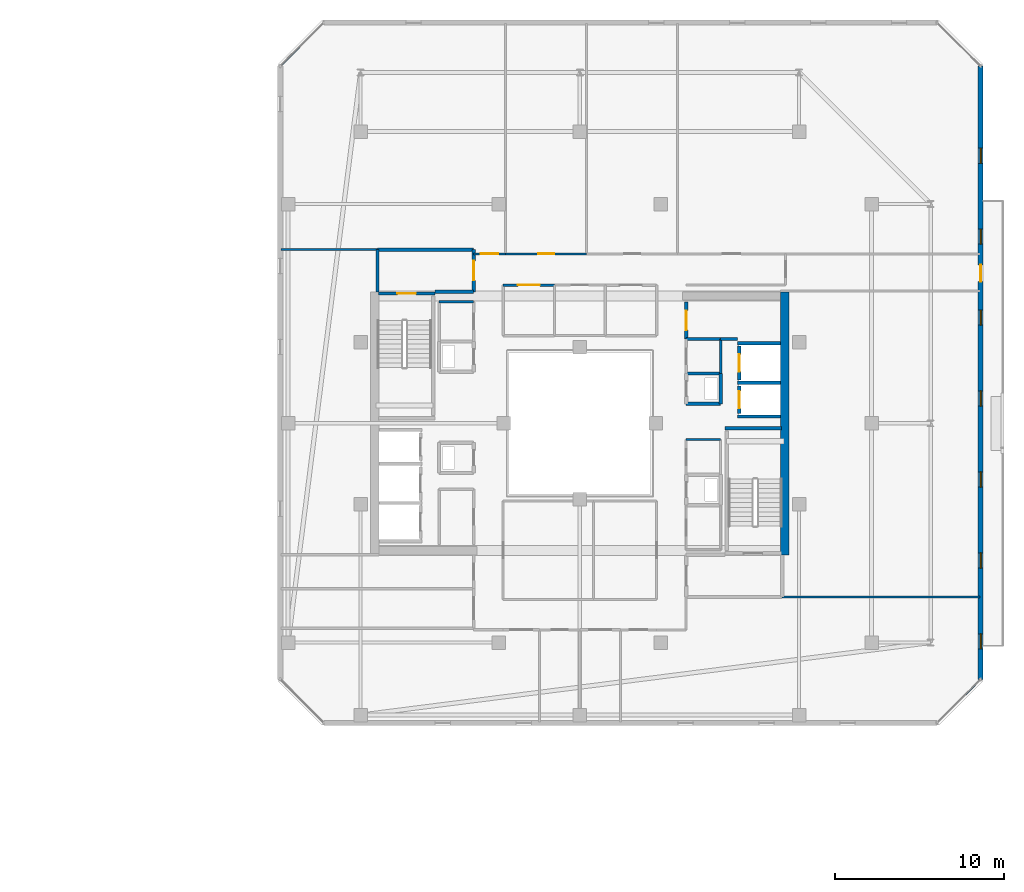
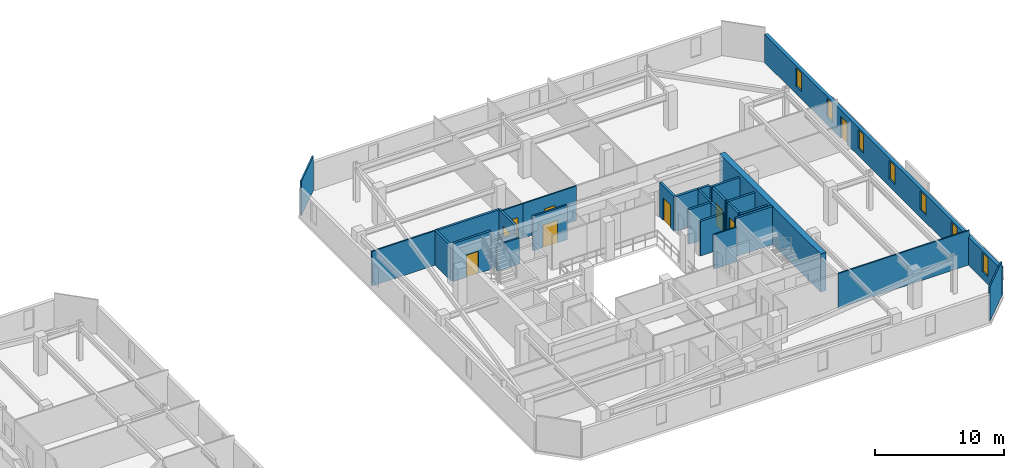
# One storey, part 27 of 35: 29 walls, 9 doors, 7 windows, 16 openings.
"""IFC4 building model written with IfcOpenShell, lengths in metres."""

from ifc_helpers import new_model, si_unit, direction, frame, frame_2d, origin, place, context, subcontext, project, spatial, rectangle, extrude, material, layer, layer_set, type_object, element, fill, save


model = new_model("IFC4")

# Units and contexts
model_context = context("Model", 3, precision=1e-05, world=origin(), true_north=direction((0.0, 1.0)))
body_context = subcontext(model_context, "Body", "Model", "MODEL_VIEW")
ifc_project = project(units=[si_unit("LENGTHUNIT", "METRE"), si_unit("AREAUNIT", "SQUARE_METRE"), si_unit("VOLUMEUNIT", "CUBIC_METRE"), si_unit("PLANEANGLEUNIT", "RADIAN"), si_unit("MASSUNIT", "GRAM", prefix="KILO")], contexts=[model_context])

# Site, building, storey
site_placement = place(None, origin())
site = spatial("IfcSite", under=ifc_project, at=site_placement, CompositionType="ELEMENT")
building_placement = place(site_placement, origin())
building = spatial("IfcBuilding", under=site, at=building_placement, Name="Thornwick Lancets Civic Towers", CompositionType="ELEMENT")
storey_placement = place(building_placement, frame((0.0, 0.0, 276.300048828125)))
storey = spatial("IfcBuildingStorey", under=building, at=storey_placement, Name="L74", CompositionType="ELEMENT", Elevation=276.300048828125)

# Wall, opening, door
ifc_material_1 = material(Name="Concrete blockwork C40/50", Category="masonry")
ifc_layer_1 = layer(ifc_material_1, 0.199951171875, Name="Concrete blockwork C40/50")
ifc_layer_set_1 = layer_set([ifc_layer_1], Name="Concrete blockwork C40/50")
wall_type_1 = type_object("IfcWallType", Name="WALL_COMP_200", PredefinedType="STANDARD", material=ifc_layer_set_1)
wall_1_placement = place(storey_placement, frame((97.949951171875, 29.219970703125, 0.0), z_axis=(0.0, 0.0, 1.0), x_axis=(0.0, -1.0, 0.0)))
wall_1 = element("IfcWall", 1, at=wall_1_placement, inside=storey, type_object=wall_type_1, Name="L74 Hoistway Front Wall FL-B1", PredefinedType="STANDARD", context=body_context, shape_type="SweptSolid", body=[
    extrude(rectangle(XDim=1.639892578125, YDim=0.199951171875, at=frame_2d((0.81982421875, 0.0))), origin(), (0.0, 0.0, 1.0), 3.260009765625),
])
opening_1_placement = place(wall_1_placement, frame((0.31005859375, 0.0, 0.0)))
opening_1 = element("IfcOpeningElement", 2, at=opening_1_placement, cuts=wall_1, Name="Opening LD-FL-B1", PredefinedType="OPENING", context=body_context, shape_type="SweptSolid", body=[
    extrude(rectangle(XDim=1.02001953125, YDim=2.06005859375, at=frame_2d((0.510009765625, 1.030029296875))), frame((0.0, 0.10986328125, 0.0), z_axis=(0.0, -1.0, 0.0), x_axis=(1.0, 0.0, 0.0)), (0.0, 0.0, 1.0), 0.219970703125),
])
ifc_material_2 = material(Name="Brushed bronze stainless steel", Category="steel")
door_type_1 = type_object("IfcDoorType", Name="DOOR_LIFT_SLIDE", OperationType="SLIDING_TO_LEFT", PredefinedType="DOOR", material=ifc_material_2)
door_1_placement = place(opening_1_placement, origin())
door_1 = element("IfcDoor", 3, at=door_1_placement, inside=storey, type_object=door_type_1, Name="L74 Sliding Lift Landing Door LD-FL-B1", OperationType="SLIDING_TO_LEFT", OverallHeight=2.06005859375, OverallWidth=1.02001953125, PredefinedType="DOOR", context=body_context, shape_type="SweptSolid", body=[
    extrude(rectangle(XDim=1.02001953125, YDim=2.06005859375, at=frame_2d((0.510009765625, 1.030029296875))), frame((0.0, 0.02490234375, 0.0), z_axis=(0.0, -1.0, 0.0), x_axis=(1.0, 0.0, 0.0)), (0.0, 0.0, 1.0), 0.050048828125),
])
fill(opening_1, door_1)

wall_2_placement = place(storey_placement, frame((97.949951171875, 31.570068359375, 0.0), z_axis=(0.0, 0.0, 1.0), x_axis=(0.0, -1.0, 0.0)))
wall_2 = element("IfcWall", 4, at=wall_2_placement, inside=storey, type_object=wall_type_1, Name="L74 Hoistway Front Wall PL-BH1", PredefinedType="STANDARD", context=body_context, shape_type="SweptSolid", body=[
    extrude(rectangle(XDim=1.989990234375, YDim=0.199951171875, at=frame_2d((0.9951171875, 0.0))), origin(), (0.0, 0.0, 1.0), 3.260009765625),
])
opening_2_placement = place(wall_2_placement, frame((0.485107421875, 0.0, 0.0)))
opening_2 = element("IfcOpeningElement", 5, at=opening_2_placement, cuts=wall_2, Name="Opening LD-PL-BH1", PredefinedType="OPENING", context=body_context, shape_type="SweptSolid", body=[
    extrude(rectangle(XDim=1.02001953125, YDim=2.06005859375, at=frame_2d((0.510009765625, 1.030029296875))), frame((0.0, 0.10986328125, 0.0), z_axis=(0.0, -1.0, 0.0), x_axis=(1.0, 0.0, 0.0)), (0.0, 0.0, 1.0), 0.219970703125),
])
door_2_placement = place(opening_2_placement, origin())
door_2 = element("IfcDoor", 6, at=door_2_placement, inside=storey, type_object=door_type_1, Name="L74 Sliding Lift Landing Door LD-PL-BH1", OperationType="SLIDING_TO_LEFT", OverallHeight=2.06005859375, OverallWidth=1.02001953125, PredefinedType="DOOR", context=body_context, shape_type="SweptSolid", body=[
    extrude(rectangle(XDim=1.02001953125, YDim=2.06005859375, at=frame_2d((0.510009765625, 1.030029296875))), frame((0.0, 0.02490234375, 0.0), z_axis=(0.0, -1.0, 0.0), x_axis=(1.0, 0.0, 0.0)), (0.0, 0.0, 1.0), 0.050048828125),
])
fill(opening_2, door_2)

# Walls
for number, where, z_axis, x_axis, name in (
    (7, (97.85205078125, 29.39990234375, 0.0), (0.0, 0.0, 1.0), (1.0, 0.0, 0.0), "L74 Hoistway Shaft Wall FL-B1 N"),
    (8, (97.85205078125, 27.39990234375, 0.0), (0.0, 0.0, 1.0), (1.0, 0.0, 0.0), "L74 Hoistway Shaft Wall FL-B1 S"),
    (9, (97.85205078125, 31.75, 0.0), (0.0, 0.0, 1.0), (1.0, 0.0, 0.0), "L74 Hoistway Shaft Wall PL-BH1 N"),
):
    element("IfcWall", number, at=place(storey_placement, frame(where, z_axis=z_axis, x_axis=x_axis)), inside=storey, type_object=wall_type_1, Name=name, PredefinedType="STANDARD", context=body_context, shape_type="SweptSolid", body=[
        extrude(rectangle(XDim=2.535888671875, YDim=0.199951171875, at=frame_2d((1.26806640625, 0.0))), origin(), (0.0, 0.0, 1.0), 3.260009765625),
    ])
wall_3_placement = place(storey_placement, frame((79.89990234375, 34.800048828125, 0.0), z_axis=(0.0, 0.0, 1.0), x_axis=(1.0, 0.0, 0.0)))
element("IfcWall", 10, at=wall_3_placement, inside=storey, type_object=wall_type_1, Name="L74 Partition L74-B-FFLOB2 E1", PredefinedType="STANDARD", context=body_context, shape_type="SweptSolid", body=[
    extrude(rectangle(XDim=2.300048828125, YDim=0.199951171875, at=frame_2d((1.14990234375, 0.0))), origin(), (0.0, 0.0, 1.0), 2.46484375),
])

# Wall, opening, door
wall_4_placement = place(storey_placement, frame((82.199951171875, 34.800048828125, 0.0), z_axis=(0.0, 0.0, 1.0), x_axis=(0.0, 1.0, 0.0)))
wall_4 = element("IfcWall", 11, at=wall_4_placement, inside=storey, type_object=wall_type_1, Name="L74 Partition L74-B-FFLOB2 E2", PredefinedType="STANDARD", context=body_context, shape_type="SweptSolid", body=[
    extrude(rectangle(XDim=2.5, YDim=0.199951171875, at=frame_2d((1.25, 0.0))), origin(), (0.0, 0.0, 1.0), 3.260009765625),
])
opening_3_placement = place(wall_4_placement, frame((0.675048828125, 0.0, 0.0)))
opening_3 = element("IfcOpeningElement", 12, at=opening_3_placement, cuts=wall_4, Name="Opening D-L74-3398", PredefinedType="OPENING", context=body_context, shape_type="SweptSolid", body=[
    extrude(rectangle(XDim=1.14990234375, YDim=2.10009765625, at=frame_2d((0.574951171875, 1.050048828125))), frame((0.0, 0.10986328125, 0.0), z_axis=(0.0, -1.0, 0.0), x_axis=(1.0, 0.0, 0.0)), (0.0, 0.0, 1.0), 0.219970703125),
])
ifc_material_3 = material(Name="Glazed fire-resisting steel", Category="steel")
door_type_2 = type_object("IfcDoorType", Name="DOOR_LOBBY_FD60", OperationType="NOTDEFINED", PredefinedType="DOOR", material=ifc_material_3)
door_3_placement = place(opening_3_placement, origin())
door_3 = element("IfcDoor", 13, at=door_3_placement, inside=storey, type_object=door_type_2, Name="L74 West Firefighting Lobby 2 Door", OperationType="SINGLE_SWING_LEFT", OverallHeight=2.10009765625, OverallWidth=1.14990234375, PredefinedType="DOOR", context=body_context, shape_type="SweptSolid", body=[
    extrude(rectangle(XDim=1.14990234375, YDim=2.10009765625, at=frame_2d((0.574951171875, 1.050048828125))), frame((0.0, 0.02490234375, 0.0), z_axis=(0.0, -1.0, 0.0), x_axis=(1.0, 0.0, 0.0)), (0.0, 0.0, 1.0), 0.050048828125),
])
fill(opening_3, door_3)

# Walls
wall_5_placement = place(storey_placement, frame((82.199951171875, 37.300048828125, 0.0), z_axis=(0.0, 0.0, 1.0), x_axis=(-1.0, 0.0, 0.0)))
element("IfcWall", 14, at=wall_5_placement, inside=storey, type_object=wall_type_1, Name="L74 Partition L74-B-FFLOB2 E3", PredefinedType="STANDARD", context=body_context, shape_type="SweptSolid", body=[
    extrude(rectangle(XDim=5.699951171875, YDim=0.199951171875, at=frame_2d((2.85009765625, 0.0))), origin(), (0.0, 0.0, 1.0), 3.260009765625),
])
wall_6_placement = place(storey_placement, frame((76.5, 37.300048828125, 0.0), z_axis=(0.0, 0.0, 1.0), x_axis=(0.0, -1.0, 0.0)))
element("IfcWall", 15, at=wall_6_placement, inside=storey, type_object=wall_type_1, Name="L74 Partition L74-B-FFLOB2 E4", PredefinedType="STANDARD", context=body_context, shape_type="SweptSolid", body=[
    extrude(rectangle(XDim=2.5, YDim=0.199951171875, at=frame_2d((1.25, 0.0))), origin(), (0.0, 0.0, 1.0), 3.260009765625),
])
wall_7_placement = place(storey_placement, frame((94.800048828125, 28.14990234375, 0.0), z_axis=(0.0, 0.0, 1.0), x_axis=(1.0, 0.0, 0.0)))
element("IfcWall", 16, at=wall_7_placement, inside=storey, type_object=wall_type_1, Name="L74 Partition L74-B-DUCT1 E1", PredefinedType="STANDARD", context=body_context, shape_type="SweptSolid", body=[
    extrude(rectangle(XDim=2.050048828125, YDim=0.199951171875, at=frame_2d((1.02490234375, 0.0))), origin(), (0.0, 0.0, 1.0), 3.260009765625),
])
wall_8_placement = place(storey_placement, frame((96.85009765625, 28.14990234375, 0.0), z_axis=(0.0, 0.0, 1.0), x_axis=(0.0, 1.0, 0.0)))
element("IfcWall", 17, at=wall_8_placement, inside=storey, type_object=wall_type_1, Name="L74 Partition L74-B-DUCT1 E2", PredefinedType="STANDARD", context=body_context, shape_type="SweptSolid", body=[
    extrude(rectangle(XDim=1.800048828125, YDim=0.199951171875, at=frame_2d((0.89990234375, 0.0))), origin(), (0.0, 0.0, 1.0), 3.260009765625),
])
wall_9_placement = place(storey_placement, frame((96.85009765625, 29.949951171875, 0.0), z_axis=(0.0, 0.0, 1.0), x_axis=(-1.0, 0.0, 0.0)))
element("IfcWall", 18, at=wall_9_placement, inside=storey, type_object=wall_type_1, Name="L74 Partition L74-B-DUCT1 E3", PredefinedType="STANDARD", context=body_context, shape_type="SweptSolid", body=[
    extrude(rectangle(XDim=2.050048828125, YDim=0.199951171875, at=frame_2d((1.02490234375, 0.0))), origin(), (0.0, 0.0, 1.0), 3.260009765625),
])

# Wall, opening, door
wall_10_placement = place(storey_placement, frame((94.800048828125, 32.0, 0.0), z_axis=(0.0, 0.0, 1.0), x_axis=(0.0, 1.0, 0.0)))
wall_10 = element("IfcWall", 19, at=wall_10_placement, inside=storey, type_object=wall_type_1, Name="L74 Partition L74-B-STR2 E1", PredefinedType="STANDARD", context=body_context, shape_type="SweptSolid", body=[
    extrude(rectangle(XDim=2.199951171875, YDim=0.199951171875, at=frame_2d((1.10009765625, 0.0))), origin(), (0.0, 0.0, 1.0), 3.260009765625),
])
opening_4_placement = place(wall_10_placement, frame((0.52490234375, 0.0, 0.0)))
opening_4 = element("IfcOpeningElement", 20, at=opening_4_placement, cuts=wall_10, Name="Opening D-L74-3406", PredefinedType="OPENING", context=body_context, shape_type="SweptSolid", body=[
    extrude(rectangle(XDim=1.14990234375, YDim=2.10009765625, at=frame_2d((0.574951171875, 1.050048828125))), frame((0.0, 0.10986328125, 0.0), z_axis=(0.0, -1.0, 0.0), x_axis=(1.0, 0.0, 0.0)), (0.0, 0.0, 1.0), 0.219970703125),
])
door_4_placement = place(opening_4_placement, origin())
door_4 = element("IfcDoor", 21, at=door_4_placement, inside=storey, type_object=door_type_2, Name="L74 Tower B Core Supplies Store Door", OperationType="SINGLE_SWING_LEFT", OverallHeight=2.10009765625, OverallWidth=1.14990234375, PredefinedType="DOOR", context=body_context, shape_type="SweptSolid", body=[
    extrude(rectangle(XDim=1.14990234375, YDim=2.10009765625, at=frame_2d((0.574951171875, 1.050048828125))), frame((0.0, 0.02490234375, 0.0), z_axis=(0.0, -1.0, 0.0), x_axis=(1.0, 0.0, 0.0)), (0.0, 0.0, 1.0), 0.050048828125),
])
fill(opening_4, door_4)

# Walls
wall_11_placement = place(storey_placement, frame((97.85205078125, 32.0, 0.0), z_axis=(0.0, 0.0, 1.0), x_axis=(-1.0, 0.0, 0.0)))
element("IfcWall", 22, at=wall_11_placement, inside=storey, type_object=wall_type_1, Name="L74 Partition L74-B-STR2 E4", PredefinedType="STANDARD", context=body_context, shape_type="SweptSolid", body=[
    extrude(rectangle(XDim=1.001953125, YDim=0.199951171875, at=frame_2d((0.5009765625, 0.0))), origin(), (0.0, 0.0, 1.0), 3.260009765625),
])
wall_12_placement = place(storey_placement, frame((96.85009765625, 32.0, 0.0), z_axis=(0.0, 0.0, 1.0), x_axis=(-1.0, 0.0, 0.0)))
element("IfcWall", 23, at=wall_12_placement, inside=storey, type_object=wall_type_1, Name="L74 Partition L74-B-STR2 E5", PredefinedType="STANDARD", context=body_context, shape_type="SweptSolid", body=[
    extrude(rectangle(XDim=2.050048828125, YDim=0.199951171875, at=frame_2d((1.02490234375, 0.0))), origin(), (0.0, 0.0, 1.0), 3.260009765625),
])
ifc_material_4 = material(Name="Concrete C50/60", Category="concrete")
ifc_layer_2 = layer(ifc_material_4, 0.5, Name="Concrete C50/60")
ifc_layer_set_2 = layer_set([ifc_layer_2], Name="Concrete C50/60")
wall_type_2 = type_object("IfcWallType", Name="WALL_CORE_500", PredefinedType="SHEAR", material=ifc_layer_set_2)
wall_13_placement = place(storey_placement, frame((100.64990234375, 19.199951171875, 0.0), z_axis=(0.0, 0.0, 1.0), x_axis=(0.0, 1.0, 0.0)))
element("IfcWall", 24, at=wall_13_placement, inside=storey, type_object=wall_type_2, Name="L74 Split Core B1 Shear Wall E", PredefinedType="SHEAR", context=body_context, shape_type="SweptSolid", body=[
    extrude(rectangle(XDim=15.60009765625, YDim=0.5, at=frame_2d((7.800048828125, 0.0))), origin(), (0.0, 0.0, 1.0), 3.599853515625),
])

# Wall, openings, door, windows
ifc_material_5 = material(Name="Insulated russet terracotta rainscreen on concrete C40/50", Category="masonry")
ifc_layer_3 = layer(ifc_material_5, 0.300048828125, Name="Insulated russet terracotta rainscreen on concrete C40/50")
ifc_layer_set_3 = layer_set([ifc_layer_3], Name="Insulated russet terracotta rainscreen on concrete C40/50")
wall_type_3 = type_object("IfcWallType", Name="WALL_EXT_RUSSET_300", PredefinedType="STANDARD", material=ifc_layer_set_3)
wall_14_placement = place(storey_placement, frame((112.2646484375, 11.818603515625, 0.0), z_axis=(0.0, 0.0, 1.0), x_axis=(0.0, 1.0, 0.0)))
wall_14 = element("IfcWall", 25, at=wall_14_placement, inside=storey, type_object=wall_type_3, Name="L74 Tower B Terracotta Facade Wall E2", PredefinedType="STANDARD", context=body_context, shape_type="SweptSolid", body=[
    extrude(rectangle(XDim=36.36279296875, YDim=0.300048828125, at=frame_2d((18.181396484375, 0.0))), origin(), (0.0, 0.0, 1.0), 2.659912109375),
])
opening_5_placement = place(wall_14_placement, frame((23.581298828125, 0.0, 0.0)))
opening_5 = element("IfcOpeningElement", 26, at=opening_5_placement, cuts=wall_14, Name="Opening D-BL-L74-BE", PredefinedType="OPENING", context=body_context, shape_type="SweptSolid", body=[
    extrude(rectangle(XDim=1.0, YDim=2.080078125, at=frame_2d((0.5, 1.0400390625))), frame((0.0, 0.16015625, 0.0), z_axis=(0.0, -1.0, 0.0), x_axis=(1.0, 0.0, 0.0)), (0.0, 0.0, 1.0), 0.320068359375),
])
opening_6_placement = place(wall_14_placement, frame((1.800048828125, 0.0, 0.719970703125)))
opening_6 = element("IfcOpeningElement", 27, at=opening_6_placement, cuts=wall_14, Name="Opening WL-01", PredefinedType="OPENING", context=body_context, shape_type="SweptSolid", body=[
    extrude(rectangle(XDim=0.89990234375, YDim=1.75, at=frame_2d((0.449951171875, 0.875))), frame((0.0, 0.16015625, 0.0), z_axis=(0.0, -1.0, 0.0), x_axis=(1.0, 0.0, 0.0)), (0.0, 0.0, 1.0), 0.320068359375),
])
opening_7_placement = place(wall_14_placement, frame((6.60009765625, 0.0, 0.719970703125)))
opening_7 = element("IfcOpeningElement", 28, at=opening_7_placement, cuts=wall_14, Name="Opening WL-01", PredefinedType="OPENING", context=body_context, shape_type="SweptSolid", body=[
    extrude(rectangle(XDim=0.89990234375, YDim=1.75, at=frame_2d((0.449951171875, 0.875))), frame((0.0, 0.16015625, 0.0), z_axis=(0.0, -1.0, 0.0), x_axis=(1.0, 0.0, 0.0)), (0.0, 0.0, 1.0), 0.320068359375),
])
opening_8_placement = place(wall_14_placement, frame((11.39990234375, 0.0, 0.719970703125)))
opening_8 = element("IfcOpeningElement", 29, at=opening_8_placement, cuts=wall_14, Name="Opening WL-01", PredefinedType="OPENING", context=body_context, shape_type="SweptSolid", body=[
    extrude(rectangle(XDim=0.89990234375, YDim=1.75, at=frame_2d((0.449951171875, 0.875))), frame((0.0, 0.16015625, 0.0), z_axis=(0.0, -1.0, 0.0), x_axis=(1.0, 0.0, 0.0)), (0.0, 0.0, 1.0), 0.320068359375),
])
opening_9_placement = place(wall_14_placement, frame((16.199951171875, 0.0, 0.719970703125)))
opening_9 = element("IfcOpeningElement", 30, at=opening_9_placement, cuts=wall_14, Name="Opening WL-01", PredefinedType="OPENING", context=body_context, shape_type="SweptSolid", body=[
    extrude(rectangle(XDim=0.89990234375, YDim=1.75, at=frame_2d((0.449951171875, 0.875))), frame((0.0, 0.16015625, 0.0), z_axis=(0.0, -1.0, 0.0), x_axis=(1.0, 0.0, 0.0)), (0.0, 0.0, 1.0), 0.320068359375),
])
opening_10_placement = place(wall_14_placement, frame((21.0, 0.0, 0.719970703125)))
opening_10 = element("IfcOpeningElement", 31, at=opening_10_placement, cuts=wall_14, Name="Opening WL-01", PredefinedType="OPENING", context=body_context, shape_type="SweptSolid", body=[
    extrude(rectangle(XDim=0.89990234375, YDim=1.75, at=frame_2d((0.449951171875, 0.875))), frame((0.0, 0.16015625, 0.0), z_axis=(0.0, -1.0, 0.0), x_axis=(1.0, 0.0, 0.0)), (0.0, 0.0, 1.0), 0.320068359375),
])
opening_11_placement = place(wall_14_placement, frame((25.800048828125, 0.0, 0.719970703125)))
opening_11 = element("IfcOpeningElement", 32, at=opening_11_placement, cuts=wall_14, Name="Opening WL-01", PredefinedType="OPENING", context=body_context, shape_type="SweptSolid", body=[
    extrude(rectangle(XDim=0.89990234375, YDim=1.75, at=frame_2d((0.449951171875, 0.875))), frame((0.0, 0.16015625, 0.0), z_axis=(0.0, -1.0, 0.0), x_axis=(1.0, 0.0, 0.0)), (0.0, 0.0, 1.0), 0.320068359375),
])
opening_12_placement = place(wall_14_placement, frame((30.60009765625, 0.0, 0.719970703125)))
opening_12 = element("IfcOpeningElement", 33, at=opening_12_placement, cuts=wall_14, Name="Opening WL-01", PredefinedType="OPENING", context=body_context, shape_type="SweptSolid", body=[
    extrude(rectangle(XDim=0.89990234375, YDim=1.75, at=frame_2d((0.449951171875, 0.875))), frame((0.0, 0.16015625, 0.0), z_axis=(0.0, -1.0, 0.0), x_axis=(1.0, 0.0, 0.0)), (0.0, 0.0, 1.0), 0.320068359375),
])
ifc_material_6 = material(Name="Thermally broken glazed loggia doorset")
door_type_3 = type_object("IfcDoorType", Name="DOOR_BALC_1000", OperationType="NOTDEFINED", PredefinedType="DOOR", material=ifc_material_6)
door_5_placement = place(opening_5_placement, origin())
door_5 = element("IfcDoor", 34, at=door_5_placement, inside=storey, type_object=door_type_3, Name="L74 Tower B Loggia Balcony Door E", OperationType="SINGLE_SWING_LEFT", OverallHeight=2.080078125, OverallWidth=1.0, PredefinedType="DOOR", context=body_context, shape_type="SweptSolid", body=[
    extrude(rectangle(XDim=1.0, YDim=2.080078125, at=frame_2d((0.5, 1.0400390625))), frame((0.0, 0.02490234375, 0.0), z_axis=(0.0, -1.0, 0.0), x_axis=(1.0, 0.0, 0.0)), (0.0, 0.0, 1.0), 0.050048828125),
])
fill(opening_5, door_5)
ifc_material_7 = material(Name="Clear low-e double glazing in bronze frame", Category="glass")
window_type = type_object("IfcWindowType", Name="WIN_LANCET_900", PartitioningType="SINGLE_PANEL", PredefinedType="WINDOW", material=ifc_material_7)
window_1_placement = place(opening_6_placement, origin())
window_1 = element("IfcWindow", 35, at=window_1_placement, inside=storey, type_object=window_type, Name="L74 Tower B Staggered Lancet Window E2-1", OverallHeight=1.75, OverallWidth=0.89990234375, PartitioningType="SINGLE_PANEL", PredefinedType="WINDOW", context=body_context, shape_type="SweptSolid", body=[
    extrude(rectangle(XDim=0.89990234375, YDim=1.75, at=frame_2d((0.449951171875, 0.875))), frame((0.0, 0.030029296875, 0.0), z_axis=(0.0, -1.0, 0.0), x_axis=(1.0, 0.0, 0.0)), (0.0, 0.0, 1.0), 0.06005859375),
])
fill(opening_6, window_1)
window_2_placement = place(opening_7_placement, origin())
window_2 = element("IfcWindow", 36, at=window_2_placement, inside=storey, type_object=window_type, Name="L74 Tower B Staggered Lancet Window E2-2", OverallHeight=1.75, OverallWidth=0.89990234375, PartitioningType="SINGLE_PANEL", PredefinedType="WINDOW", context=body_context, shape_type="SweptSolid", body=[
    extrude(rectangle(XDim=0.89990234375, YDim=1.75, at=frame_2d((0.449951171875, 0.875))), frame((0.0, 0.030029296875, 0.0), z_axis=(0.0, -1.0, 0.0), x_axis=(1.0, 0.0, 0.0)), (0.0, 0.0, 1.0), 0.06005859375),
])
fill(opening_7, window_2)
window_3_placement = place(opening_8_placement, origin())
window_3 = element("IfcWindow", 37, at=window_3_placement, inside=storey, type_object=window_type, Name="L74 Tower B Staggered Lancet Window E2-3", OverallHeight=1.75, OverallWidth=0.89990234375, PartitioningType="SINGLE_PANEL", PredefinedType="WINDOW", context=body_context, shape_type="SweptSolid", body=[
    extrude(rectangle(XDim=0.89990234375, YDim=1.75, at=frame_2d((0.449951171875, 0.875))), frame((0.0, 0.030029296875, 0.0), z_axis=(0.0, -1.0, 0.0), x_axis=(1.0, 0.0, 0.0)), (0.0, 0.0, 1.0), 0.06005859375),
])
fill(opening_8, window_3)
window_4_placement = place(opening_9_placement, origin())
window_4 = element("IfcWindow", 38, at=window_4_placement, inside=storey, type_object=window_type, Name="L74 Tower B Staggered Lancet Window E2-4", OverallHeight=1.75, OverallWidth=0.89990234375, PartitioningType="SINGLE_PANEL", PredefinedType="WINDOW", context=body_context, shape_type="SweptSolid", body=[
    extrude(rectangle(XDim=0.89990234375, YDim=1.75, at=frame_2d((0.449951171875, 0.875))), frame((0.0, 0.030029296875, 0.0), z_axis=(0.0, -1.0, 0.0), x_axis=(1.0, 0.0, 0.0)), (0.0, 0.0, 1.0), 0.06005859375),
])
fill(opening_9, window_4)
window_5_placement = place(opening_10_placement, origin())
window_5 = element("IfcWindow", 39, at=window_5_placement, inside=storey, type_object=window_type, Name="L74 Tower B Staggered Lancet Window E2-5", OverallHeight=1.75, OverallWidth=0.89990234375, PartitioningType="SINGLE_PANEL", PredefinedType="WINDOW", context=body_context, shape_type="SweptSolid", body=[
    extrude(rectangle(XDim=0.89990234375, YDim=1.75, at=frame_2d((0.449951171875, 0.875))), frame((0.0, 0.030029296875, 0.0), z_axis=(0.0, -1.0, 0.0), x_axis=(1.0, 0.0, 0.0)), (0.0, 0.0, 1.0), 0.06005859375),
])
fill(opening_10, window_5)
window_6_placement = place(opening_11_placement, origin())
window_6 = element("IfcWindow", 40, at=window_6_placement, inside=storey, type_object=window_type, Name="L74 Tower B Staggered Lancet Window E2-6", OverallHeight=1.75, OverallWidth=0.89990234375, PartitioningType="SINGLE_PANEL", PredefinedType="WINDOW", context=body_context, shape_type="SweptSolid", body=[
    extrude(rectangle(XDim=0.89990234375, YDim=1.75, at=frame_2d((0.449951171875, 0.875))), frame((0.0, 0.030029296875, 0.0), z_axis=(0.0, -1.0, 0.0), x_axis=(1.0, 0.0, 0.0)), (0.0, 0.0, 1.0), 0.06005859375),
])
fill(opening_11, window_6)
window_7_placement = place(opening_12_placement, origin())
window_7 = element("IfcWindow", 41, at=window_7_placement, inside=storey, type_object=window_type, Name="L74 Tower B Staggered Lancet Window E2-7", OverallHeight=1.75, OverallWidth=0.89990234375, PartitioningType="SINGLE_PANEL", PredefinedType="WINDOW", context=body_context, shape_type="SweptSolid", body=[
    extrude(rectangle(XDim=0.89990234375, YDim=1.75, at=frame_2d((0.449951171875, 0.875))), frame((0.0, 0.030029296875, 0.0), z_axis=(0.0, -1.0, 0.0), x_axis=(1.0, 0.0, 0.0)), (0.0, 0.0, 1.0), 0.06005859375),
])
fill(opening_12, window_7)

# Walls
ifc_material_8 = material(Name="Acoustic gypsum board partition")
ifc_layer_4 = layer(ifc_material_8, 0.1201171875, Name="Acoustic gypsum board partition")
ifc_layer_set_4 = layer_set([ifc_layer_4], Name="Acoustic gypsum board partition")
wall_type_4 = type_object("IfcWallType", Name="WALL_PART_120", PredefinedType="PARTITIONING", material=ifc_layer_set_4)
wall_15_placement = place(storey_placement, frame((94.800048828125, 26.050048828125, 0.0), z_axis=(0.0, 0.0, 1.0), x_axis=(1.0, 0.0, 0.0)))
element("IfcWall", 42, at=wall_15_placement, inside=storey, type_object=wall_type_4, Name="L74 Partition L74-B-ITR E2", PredefinedType="PARTITIONING", context=body_context, shape_type="SweptSolid", body=[
    extrude(rectangle(XDim=2.050048828125, YDim=0.1201171875, at=frame_2d((1.02490234375, 0.0))), origin(), (0.0, 0.0, 1.0), 3.260009765625),
])
wall_16_placement = place(storey_placement, frame((100.5, 16.699951171875, 0.0), z_axis=(0.0, 0.0, 1.0), x_axis=(1.0, 0.0, 0.0)))
element("IfcWall", 43, at=wall_16_placement, inside=storey, type_object=wall_type_4, Name="L74 Partition L74-B-W1 E7", PredefinedType="PARTITIONING", context=body_context, shape_type="SweptSolid", body=[
    extrude(rectangle(XDim=11.719970703125, YDim=0.1201171875, at=frame_2d((5.85986328125, 0.0))), origin(), (0.0, 0.0, 1.0), 3.260009765625),
])
wall_17_placement = place(storey_placement, frame((112.219970703125, 11.774658203125, 0.0), z_axis=(0.0, 0.0, 1.0), x_axis=(-0.707106781187, -0.707106781187, 0.0)))
element("IfcWall", 44, at=wall_17_placement, inside=storey, type_object=wall_type_4, Name="L74 Partition L74-B-W1 E9", PredefinedType="PARTITIONING", context=body_context, shape_type="SweptSolid", body=[
    extrude(rectangle(XDim=3.52783203125, YDim=0.1201171875, at=frame_2d((1.763916015625, 0.0))), origin(), (0.0, 0.0, 1.0), 3.260009765625),
])

# Wall, opening, door
wall_18_placement = place(storey_placement, frame((88.89990234375, 37.050048828125, 0.0), z_axis=(0.0, 0.0, 1.0), x_axis=(-1.0, 0.0, 0.0)))
wall_18 = element("IfcWall", 45, at=wall_18_placement, inside=storey, type_object=wall_type_4, Name="L74 Partition L74-B-E3 E4", PredefinedType="PARTITIONING", context=body_context, shape_type="SweptSolid", body=[
    extrude(rectangle(XDim=4.7998046875, YDim=0.1201171875, at=frame_2d((2.39990234375, 0.0))), origin(), (0.0, 0.0, 1.0), 3.260009765625),
])
opening_13_placement = place(wall_18_placement, frame((1.925048828125, 0.0, 0.0)))
opening_13 = element("IfcOpeningElement", 46, at=opening_13_placement, cuts=wall_18, Name="Opening D-L74-3436", PredefinedType="OPENING", context=body_context, shape_type="SweptSolid", body=[
    extrude(rectangle(XDim=0.949951171875, YDim=2.10009765625, at=frame_2d((0.47509765625, 1.050048828125))), frame((0.0, 0.070068359375, 0.0), z_axis=(0.0, -1.0, 0.0), x_axis=(1.0, 0.0, 0.0)), (0.0, 0.0, 1.0), 0.14013671875),
])
ifc_material_9 = material(Name="European oak acoustic doorset")
door_type_4 = type_object("IfcDoorType", Name="DOOR_OFFICE_950", OperationType="NOTDEFINED", PredefinedType="DOOR", material=ifc_material_9)
door_6_placement = place(opening_13_placement, origin())
door_6 = element("IfcDoor", 47, at=door_6_placement, inside=storey, type_object=door_type_4, Name="L74 Tower B Civic Seminar Room Door", OperationType="SINGLE_SWING_LEFT", OverallHeight=2.10009765625, OverallWidth=0.949951171875, PredefinedType="DOOR", context=body_context, shape_type="SweptSolid", body=[
    extrude(rectangle(XDim=0.949951171875, YDim=2.10009765625, at=frame_2d((0.47509765625, 1.050048828125))), frame((0.0, 0.02490234375, 0.0), z_axis=(0.0, -1.0, 0.0), x_axis=(1.0, 0.0, 0.0)), (0.0, 0.0, 1.0), 0.050048828125),
])
fill(opening_13, door_6)

# Walls
wall_19_placement = place(storey_placement, frame((76.5, 37.300048828125, 0.0), z_axis=(0.0, 0.0, 1.0), x_axis=(-1.0, 0.0, 0.0)))
element("IfcWall", 48, at=wall_19_placement, inside=storey, type_object=wall_type_4, Name="L74 Partition L74-B-E4 E3", PredefinedType="PARTITIONING", context=body_context, shape_type="SweptSolid", body=[
    extrude(rectangle(XDim=5.719970703125, YDim=0.1201171875, at=frame_2d((2.85986328125, 0.0))), origin(), (0.0, 0.0, 1.0), 3.260009765625),
])
wall_20_placement = place(storey_placement, frame((70.780029296875, 48.225341796875, 0.0), z_axis=(0.0, 0.0, 1.0), x_axis=(0.707106781187, 0.707106781187, 0.0)))
element("IfcWall", 49, at=wall_20_placement, inside=storey, type_object=wall_type_4, Name="L74 Partition L74-B-E4 E5", PredefinedType="PARTITIONING", context=body_context, shape_type="SweptSolid", body=[
    extrude(rectangle(XDim=3.52783203125, YDim=0.1201171875, at=frame_2d((1.763916015625, 0.0))), origin(), (0.0, 0.0, 1.0), 3.260009765625),
])

# Wall, opening, door
wall_21_placement = place(storey_placement, frame((84.10009765625, 37.050048828125, 0.0), z_axis=(0.0, 0.0, 1.0), x_axis=(-1.0, 0.0, 0.0)))
wall_21 = element("IfcWall", 50, at=wall_21_placement, inside=storey, type_object=wall_type_4, Name="L74 Partition L74-B-E4 E8", PredefinedType="PARTITIONING", context=body_context, shape_type="SweptSolid", body=[
    extrude(rectangle(XDim=1.900146484375, YDim=0.1201171875, at=frame_2d((0.9501953125, 0.0))), origin(), (0.0, 0.0, 1.0), 3.260009765625),
])
opening_14_placement = place(wall_21_placement, frame((0.425048828125, 0.0, 0.0)))
opening_14 = element("IfcOpeningElement", 51, at=opening_14_placement, cuts=wall_21, Name="Opening D-L74-3437", PredefinedType="OPENING", context=body_context, shape_type="SweptSolid", body=[
    extrude(rectangle(XDim=1.050048828125, YDim=2.10009765625, at=frame_2d((0.52490234375, 1.050048828125))), frame((0.0, 0.070068359375, 0.0), z_axis=(0.0, -1.0, 0.0), x_axis=(1.0, 0.0, 0.0)), (0.0, 0.0, 1.0), 0.14013671875),
])
ifc_material_10 = material(Name="Glazed European oak executive doorset")
door_type_5 = type_object("IfcDoorType", Name="DOOR_OFFICE_1050", OperationType="NOTDEFINED", PredefinedType="DOOR", material=ifc_material_10)
door_7_placement = place(opening_14_placement, origin())
door_7 = element("IfcDoor", 52, at=door_7_placement, inside=storey, type_object=door_type_5, Name="L74 Tower B Legislative Drafting Suite E4 Door", OperationType="SINGLE_SWING_RIGHT", OverallHeight=2.10009765625, OverallWidth=1.050048828125, PredefinedType="DOOR", context=body_context, shape_type="SweptSolid", body=[
    extrude(rectangle(XDim=1.050048828125, YDim=2.10009765625, at=frame_2d((0.52490234375, 1.050048828125))), frame((0.0, 0.02490234375, 0.0), z_axis=(0.0, -1.0, 0.0), x_axis=(1.0, 0.0, 0.0)), (0.0, 0.0, 1.0), 0.050048828125),
])
fill(opening_14, door_7)

# Walls
ifc_material_11 = material(Name="Twin-stud acoustic gypsum board")
ifc_layer_5 = layer(ifc_material_11, 0.14990234375, Name="Twin-stud acoustic gypsum board")
ifc_layer_set_5 = layer_set([ifc_layer_5], Name="Twin-stud acoustic gypsum board")
wall_type_5 = type_object("IfcWallType", Name="WALL_PART_150", PredefinedType="PARTITIONING", material=ifc_layer_set_5)
wall_22_placement = place(storey_placement, frame((96.85009765625, 32.0, 0.0), z_axis=(0.0, 0.0, 1.0), x_axis=(0.0, -1.0, 0.0)))
element("IfcWall", 53, at=wall_22_placement, inside=storey, type_object=wall_type_5, Name="L74 Partition L74-B-AWC E3", PredefinedType="PARTITIONING", context=body_context, shape_type="SweptSolid", body=[
    extrude(rectangle(XDim=2.050048828125, YDim=0.14990234375, at=frame_2d((1.02490234375, 0.0))), origin(), (0.0, 0.0, 1.0), 3.260009765625),
])
wall_23_placement = place(storey_placement, frame((80.14990234375, 34.199951171875, 0.0), z_axis=(0.0, 0.0, 1.0), x_axis=(1.0, 0.0, 0.0)))
element("IfcWall", 54, at=wall_23_placement, inside=storey, type_object=wall_type_5, Name="L74 Partition L74-B-FWC E2", PredefinedType="PARTITIONING", context=body_context, shape_type="SweptSolid", body=[
    extrude(rectangle(XDim=2.050048828125, YDim=0.14990234375, at=frame_2d((1.02490234375, 0.0))), origin(), (0.0, 0.0, 1.0), 2.46484375),
])

# Wall, opening, door
wall_24_placement = place(storey_placement, frame((83.949951171875, 35.199951171875, 0.0), z_axis=(0.0, 0.0, 1.0), x_axis=(1.0, 0.0, 0.0)))
wall_24 = element("IfcWall", 55, at=wall_24_placement, inside=storey, type_object=wall_type_5, Name="L74 Partition L74-B-E-ATR-3 E2", PredefinedType="PARTITIONING", context=body_context, shape_type="SweptSolid", body=[
    extrude(rectangle(XDim=3.050048828125, YDim=0.14990234375, at=frame_2d((1.52490234375, 0.0))), origin(), (0.0, 0.0, 1.0), 3.260009765625),
])
opening_15_placement = place(wall_24_placement, frame((0.875, 0.0, 0.0)))
opening_15 = element("IfcOpeningElement", 56, at=opening_15_placement, cuts=wall_24, Name="Opening D-L74-3440", PredefinedType="OPENING", context=body_context, shape_type="SweptSolid", body=[
    extrude(rectangle(XDim=1.300048828125, YDim=2.1201171875, at=frame_2d((0.64990234375, 1.06005859375))), frame((0.0, 0.0849609375, 0.0), z_axis=(0.0, -1.0, 0.0), x_axis=(1.0, 0.0, 0.0)), (0.0, 0.0, 1.0), 0.169921875),
])
ifc_material_12 = material(Name="Acoustic oak leaf-and-a-half doorset")
door_type_6 = type_object("IfcDoorType", Name="DOOR_MEET_1300", OperationType="DOUBLE_DOOR_SINGLE_SWING", PredefinedType="DOOR", material=ifc_material_12)
door_8_placement = place(opening_15_placement, origin())
door_8 = element("IfcDoor", 57, at=door_8_placement, inside=storey, type_object=door_type_6, Name="L74 Tower B Atrium Consultation Chamber Door", OperationType="DOUBLE_DOOR_SINGLE_SWING", OverallHeight=2.1201171875, OverallWidth=1.300048828125, PredefinedType="DOOR", context=body_context, shape_type="SweptSolid", body=[
    extrude(rectangle(XDim=1.300048828125, YDim=2.1201171875, at=frame_2d((0.64990234375, 1.06005859375))), frame((0.0, 0.02490234375, 0.0), z_axis=(0.0, -1.0, 0.0), x_axis=(1.0, 0.0, 0.0)), (0.0, 0.0, 1.0), 0.050048828125),
])
fill(opening_15, door_8)

# Wall
ifc_material_13 = material(Name="Concrete C40/50", Category="concrete")
ifc_layer_6 = layer(ifc_material_13, 0.199951171875, Name="Concrete C40/50")
ifc_layer_set_6 = layer_set([ifc_layer_6], Name="Concrete C40/50")
wall_type_6 = type_object("IfcWallType", Name="WALL_SHAFT_200", PredefinedType="SHEAR", material=ifc_layer_set_6)
wall_25_placement = place(storey_placement, frame((97.10009765625, 26.699951171875, 0.0), z_axis=(0.0, 0.0, 1.0), x_axis=(1.0, 0.0, 0.0)))
element("IfcWall", 58, at=wall_25_placement, inside=storey, type_object=wall_type_6, Name="L74 ST-B1 Fire Stair Core Wall FAR", PredefinedType="SHEAR", context=body_context, shape_type="SweptSolid", body=[
    extrude(rectangle(XDim=3.349853515625, YDim=0.199951171875, at=frame_2d((1.6748046875, 0.0))), origin(), (0.0, 0.0, 1.0), 3.599853515625),
])

# Wall, opening, door
wall_26_placement = place(storey_placement, frame((76.550048828125, 34.699951171875, 0.0), z_axis=(0.0, 0.0, 1.0), x_axis=(1.0, 0.0, 0.0)))
wall_26 = element("IfcWall", 59, at=wall_26_placement, inside=storey, type_object=wall_type_6, Name="L74 ST-B2 Fire Stair Core Wall NEAR", PredefinedType="SHEAR", context=body_context, shape_type="SweptSolid", body=[
    extrude(rectangle(XDim=3.349853515625, YDim=0.199951171875, at=frame_2d((1.6748046875, 0.0))), origin(), (0.0, 0.0, 1.0), 3.599853515625),
])
opening_16_placement = place(wall_26_placement, frame((1.125, 0.0, 0.0)))
opening_16 = element("IfcOpeningElement", 60, at=opening_16_placement, cuts=wall_26, Name="Opening D-ST-B2-L74", PredefinedType="OPENING", context=body_context, shape_type="SweptSolid", body=[
    extrude(rectangle(XDim=1.10009765625, YDim=2.10009765625, at=frame_2d((0.550048828125, 1.050048828125))), frame((0.0, 0.10986328125, 0.0), z_axis=(0.0, -1.0, 0.0), x_axis=(1.0, 0.0, 0.0)), (0.0, 0.0, 1.0), 0.219970703125),
])
ifc_material_14 = material(Name="Fire-resisting steel and hardwood", Category="steel")
door_type_7 = type_object("IfcDoorType", Name="DOOR_STAIR_FD60", OperationType="NOTDEFINED", PredefinedType="DOOR", material=ifc_material_14)
door_9_placement = place(opening_16_placement, origin())
door_9 = element("IfcDoor", 61, at=door_9_placement, inside=storey, type_object=door_type_7, Name="L74 ST-B2 Exit Stair Door", OperationType="SINGLE_SWING_LEFT", OverallHeight=2.10009765625, OverallWidth=1.10009765625, PredefinedType="DOOR", context=body_context, shape_type="SweptSolid", body=[
    extrude(rectangle(XDim=1.10009765625, YDim=2.10009765625, at=frame_2d((0.550048828125, 1.050048828125))), frame((0.0, 0.02490234375, 0.0), z_axis=(0.0, -1.0, 0.0), x_axis=(1.0, 0.0, 0.0)), (0.0, 0.0, 1.0), 0.050048828125),
])
fill(opening_16, door_9)

save(model, "model.ifc")
